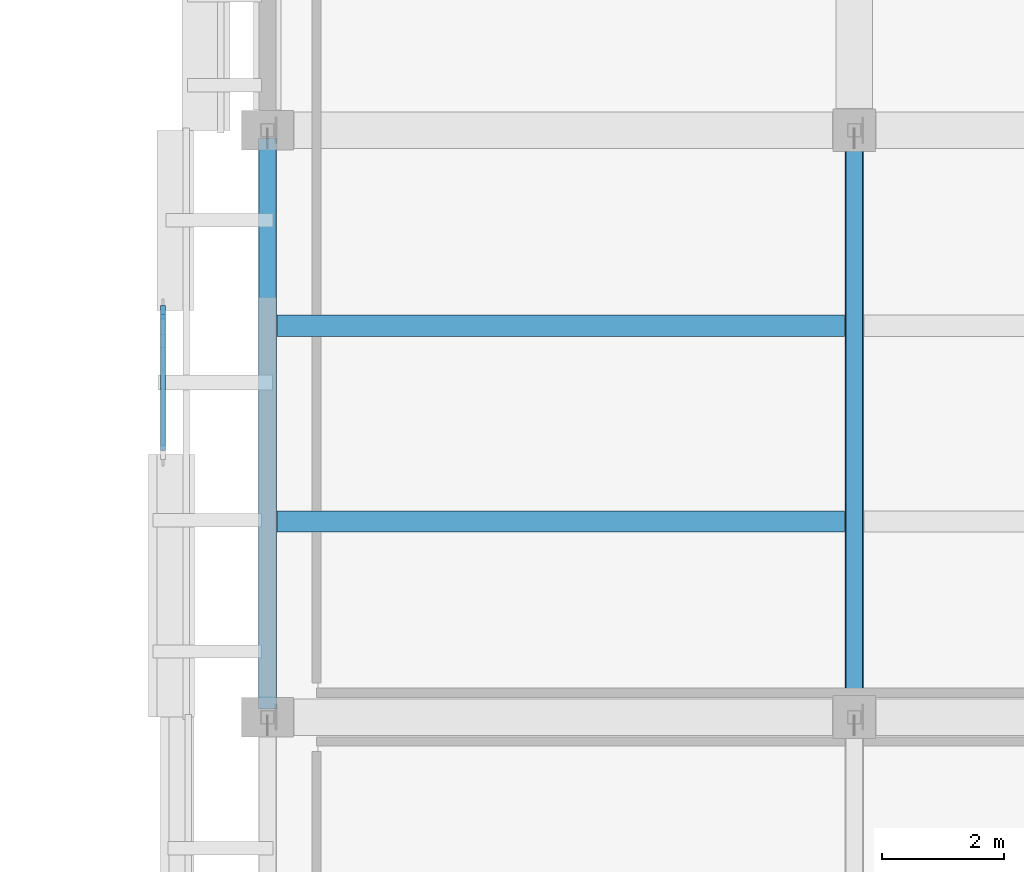
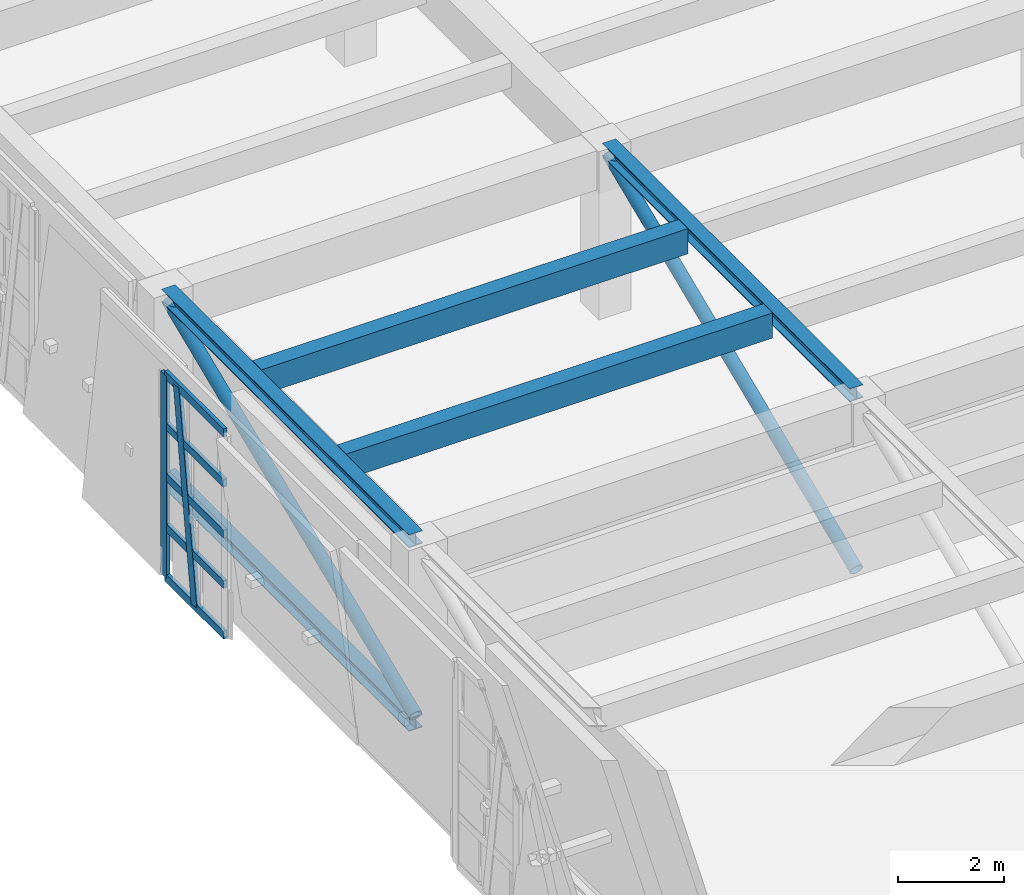
# One storey, part 4 of 62: 12 members, 2 beams, 1 element without a shape of its own.
"""IFC4 building model written with IfcOpenShell, lengths in metres."""

from ifc_helpers import new_model, si_unit, direction, frame, origin, origin_2d, place, context, subcontext, project, spatial, rectangle, hollow_circle, i_section, extrude, material, layer, layer_set, material_profile, profile_set, type_object, element, aggregate, save


model = new_model("IFC4")

# Units and contexts
model_context = context("Model", 3, precision=1e-05, world=origin(), true_north=direction((0.0, 1.0)))
body_context = subcontext(model_context, "Body", "Model", "MODEL_VIEW")
ifc_project = project(units=[si_unit("LENGTHUNIT", "METRE"), si_unit("AREAUNIT", "SQUARE_METRE"), si_unit("VOLUMEUNIT", "CUBIC_METRE"), si_unit("PLANEANGLEUNIT", "RADIAN"), si_unit("MASSUNIT", "GRAM", prefix="KILO")], contexts=[model_context])

# Site, building, storey
site_placement = place(None, origin())
site = spatial("IfcSite", under=ifc_project, at=site_placement, CompositionType="ELEMENT")
building_placement = place(site_placement, origin())
building = spatial("IfcBuilding", under=site, at=building_placement, Name="Bempovik Park Faculty of Sciences", CompositionType="ELEMENT")
storey_placement = place(building_placement, frame((0.0, 0.0, 9.89990234375)))
storey = spatial("IfcBuildingStorey", under=building, at=storey_placement, Name="L02", CompositionType="ELEMENT", Elevation=9.89990234375)

# Beams
ifc_material_1 = material(Name="Concrete C35/45", Category="concrete")
ifc_material_profile_1 = material_profile(ifc_material_1, rectangle(XDim=0.35009765625, YDim=0.580078125, at=origin_2d()), Name="RC 350x580")
ifc_profile_set_1 = profile_set([ifc_material_profile_1], Name="Concrete C35/45")
beam_type = type_object("IfcBeamType", Name="B-107 RC 350x580", PredefinedType="JOIST", material=ifc_profile_set_1)
for number, where, z_axis, x_axis, name in (
    (1, (60.156005859375, 32.60009765625, 3.610107421875), (1.0, 0.0, 0.0), (0.0, 1.0, 0.0), "L02 Secondary Joist (60.0-69.6, y=32.60)"),
    (2, (60.156005859375, 35.800048828125, 3.610107421875), (1.0, 0.0, 0.0), (0.0, 1.0, 0.0), "L02 Secondary Joist (60.0-69.6, y=35.80)"),
):
    element("IfcBeam", number, at=place(storey_placement, frame(where, z_axis=z_axis, x_axis=x_axis)), inside=storey, type_object=beam_type, Name=name, PredefinedType="JOIST", context=body_context, shape_type="SweptSolid", body=[
        extrude(rectangle(XDim=0.35009765625, YDim=0.580078125, at=origin_2d()), origin(), (0.0, 0.0, 1.0), 9.2880859375),
    ])

# Members
ifc_material_2 = material(Name="Steel S355", Category="steel")
ifc_material_profile_2 = material_profile(ifc_material_2, i_section(OverallWidth=0.300048828125, OverallDepth=0.300048828125, WebThickness=0.010986328125, FlangeThickness=0.01904296875, at=origin_2d()), Name="HEB 300")
ifc_profile_set_2 = profile_set([ifc_material_profile_2], Name="Steel S355")
member_type_1 = type_object("IfcMemberType", Name="M-55 HEB 300", PredefinedType="CHORD", material=ifc_profile_set_2)
for number, where, z_axis, x_axis, name in (
    (3, (60.0, 29.531982421875, -0.47998046875), (0.0, 1.0, 0.0), (-1.0, 0.0, 0.0), "Cantilever Truss 1 Bottom Chord 4"),
    (4, (60.0, 29.531982421875, 3.75), (0.0, 1.0, 0.0), (-1.0, 0.0, 0.0), "Cantilever Truss 1 Mid Tie 4"),
    (5, (69.60009765625, 29.531982421875, 3.75), (0.0, 1.0, 0.0), (-1.0, 0.0, 0.0), "Cantilever Truss 2 Mid Tie 4"),
):
    element("IfcMember", number, at=place(storey_placement, frame(where, z_axis=z_axis, x_axis=x_axis)), inside=storey, type_object=member_type_1, Name=name, PredefinedType="CHORD", context=body_context, shape_type="SweptSolid", body=[
        extrude(i_section(OverallWidth=0.300048828125, OverallDepth=0.300048828125, WebThickness=0.010986328125, FlangeThickness=0.01904296875, at=origin_2d()), origin(), (0.0, 0.0, 1.0), 9.3359375),
    ])
ifc_material_profile_3 = material_profile(ifc_material_2, hollow_circle(Radius=0.136474609375, WallThickness=0.012451171875, at=origin_2d()), Name="CHS 273x12.5")
ifc_profile_set_3 = profile_set([ifc_material_profile_3], Name="Steel S355")
member_type_2 = type_object("IfcMemberType", Name="M-78 CHS 273x12.5", PredefinedType="BRACE", material=ifc_profile_set_3)
for number, where, z_axis, x_axis, name in (
    (6, (60.0, 29.534912109375, -0.31396484375), (0.0, 0.922358398158, 0.386335327594), (-1.0, 0.0, 0.0), "Cantilever Truss 1 L02 Diagonal 4"),
    (7, (69.60009765625, 29.534912109375, -0.31396484375), (0.0, 0.922358398158, 0.386335327594), (-1.0, 0.0, 0.0), "Cantilever Truss 2 L02 Diagonal 4"),
):
    element("IfcMember", number, at=place(storey_placement, frame(where, z_axis=z_axis, x_axis=x_axis)), inside=storey, type_object=member_type_2, Name=name, PredefinedType="BRACE", context=body_context, shape_type="SweptSolid", body=[
        extrude(hollow_circle(Radius=0.136474609375, WallThickness=0.012451171875, at=origin_2d()), origin(), (0.0, 0.0, 1.0), 10.115478515625),
    ])

# Curtain wall, members
ifc_material_3 = material(Name="Tempered laminated low-E glass", Category="glass")
ifc_layer = layer(ifc_material_3, 0.159912109375)
ifc_layer_set = layer_set([ifc_layer], Name="Tempered laminated low-E glass")
curtain_wall_type = type_object("IfcCurtainWallType", Name="CW-61 Curtain 2400x4200", PredefinedType="USERDEFINED", material=ifc_layer_set)
curtain_wall_placement = place(storey_placement, origin())
curtain_wall = element("IfcCurtainWall", 8, at=curtain_wall_placement, inside=storey, type_object=curtain_wall_type, Name="L02 Crystal Slantwise Light Fold (60.0,29.4)", ObjectType="UNITISED CURTAIN WALL", PredefinedType="USERDEFINED")
ifc_material_4 = material(Name="Anodised architectural bronze", Category="aluminium")
ifc_material_profile_4 = material_profile(ifc_material_4, rectangle(XDim=0.080078125, YDim=0.219970703125, at=origin_2d()), Name="ALU-M 80x220")
ifc_profile_set_4 = profile_set([ifc_material_profile_4], Name="Anodised architectural bronze")
member_type_3 = type_object("IfcMemberType", Name="ML-29 ALU-M 80x220", PredefinedType="MULLION", material=ifc_profile_set_4)
member_1_placement = place(storey_placement, frame((58.291748046875, 34.875, -0.419921875), z_axis=(0.0, 0.144381979777, 0.989522028009), x_axis=(-1.0, 0.0, 0.0)))
member_1 = element("IfcMember", 9, at=member_1_placement, type_object=member_type_3, Name="CW-FOLD-L02-600-294 Mullion 1", PredefinedType="MULLION", context=body_context, shape_type="SweptSolid", body=[
    extrude(rectangle(XDim=0.080078125, YDim=0.219970703125, at=origin_2d()), origin(), (0.0, 0.0, 1.0), 4.709228515625),
])
member_2_placement = place(storey_placement, frame((58.291748046875, 36.02490234375, -0.419921875), z_axis=(0.0, 0.0, 1.0), x_axis=(1.0, 0.0, 0.0)))
member_2 = element("IfcMember", 10, at=member_2_placement, type_object=member_type_3, Name="CW-FOLD-L02-600-294 Mullion 2", PredefinedType="MULLION", context=body_context, shape_type="SweptSolid", body=[
    extrude(rectangle(XDim=0.080078125, YDim=0.219970703125, at=origin_2d()), origin(), (0.0, 0.0, 1.0), 4.659912109375),
])
ifc_material_profile_5 = material_profile(ifc_material_4, rectangle(XDim=0.080078125, YDim=0.179931640625, at=origin_2d()), Name="ALU-T 80x180")
ifc_profile_set_5 = profile_set([ifc_material_profile_5], Name="Anodised architectural bronze")
member_type_4 = type_object("IfcMemberType", Name="TR-29 ALU-T 80x180", PredefinedType="USERDEFINED", material=ifc_profile_set_5)
member_3_placement = place(storey_placement, frame((58.291748046875, 33.764892578125, -0.419921875), z_axis=(0.0, 1.0, 0.0), x_axis=(-1.0, 0.0, 0.0)))
member_3 = element("IfcMember", 11, at=member_3_placement, type_object=member_type_4, Name="CW-FOLD-L02-600-294 Transom 0", ObjectType="TRANSOM", PredefinedType="USERDEFINED", context=body_context, shape_type="SweptSolid", body=[
    extrude(rectangle(XDim=0.080078125, YDim=0.179931640625, at=origin_2d()), origin(), (0.0, 0.0, 1.0), 2.22021484375),
])
member_4_placement = place(storey_placement, frame((58.291748046875, 33.764892578125, 0.7451171875), z_axis=(0.0, 1.0, 0.0), x_axis=(-1.0, 0.0, 0.0)))
member_4 = element("IfcMember", 12, at=member_4_placement, type_object=member_type_4, Name="CW-FOLD-L02-600-294 Transom 1", ObjectType="TRANSOM", PredefinedType="USERDEFINED", context=body_context, shape_type="SweptSolid", body=[
    extrude(rectangle(XDim=0.080078125, YDim=0.179931640625, at=origin_2d()), origin(), (0.0, 0.0, 1.0), 2.22021484375),
])
member_5_placement = place(storey_placement, frame((58.291748046875, 33.764892578125, 1.91015625), z_axis=(0.0, 1.0, 0.0), x_axis=(-1.0, 0.0, 0.0)))
member_5 = element("IfcMember", 13, at=member_5_placement, type_object=member_type_4, Name="CW-FOLD-L02-600-294 Transom 2", ObjectType="TRANSOM", PredefinedType="USERDEFINED", context=body_context, shape_type="SweptSolid", body=[
    extrude(rectangle(XDim=0.080078125, YDim=0.179931640625, at=origin_2d()), origin(), (0.0, 0.0, 1.0), 2.22021484375),
])
member_6_placement = place(storey_placement, frame((58.291748046875, 33.764892578125, 3.0751953125), z_axis=(0.0, 1.0, 0.0), x_axis=(-1.0, 0.0, 0.0)))
member_6 = element("IfcMember", 14, at=member_6_placement, type_object=member_type_4, Name="CW-FOLD-L02-600-294 Transom 3", ObjectType="TRANSOM", PredefinedType="USERDEFINED", context=body_context, shape_type="SweptSolid", body=[
    extrude(rectangle(XDim=0.080078125, YDim=0.179931640625, at=origin_2d()), origin(), (0.0, 0.0, 1.0), 2.22021484375),
])
member_7_placement = place(storey_placement, frame((58.291748046875, 33.764892578125, 4.239990234375), z_axis=(0.0, 1.0, 0.0), x_axis=(-1.0, 0.0, 0.0)))
member_7 = element("IfcMember", 15, at=member_7_placement, type_object=member_type_4, Name="CW-FOLD-L02-600-294 Transom 4", ObjectType="TRANSOM", PredefinedType="USERDEFINED", context=body_context, shape_type="SweptSolid", body=[
    extrude(rectangle(XDim=0.080078125, YDim=0.179931640625, at=origin_2d()), origin(), (0.0, 0.0, 1.0), 2.22021484375),
])
aggregate(curtain_wall, [member_1, member_2, member_3, member_4, member_5, member_6, member_7])

save(model, "model.ifc")
